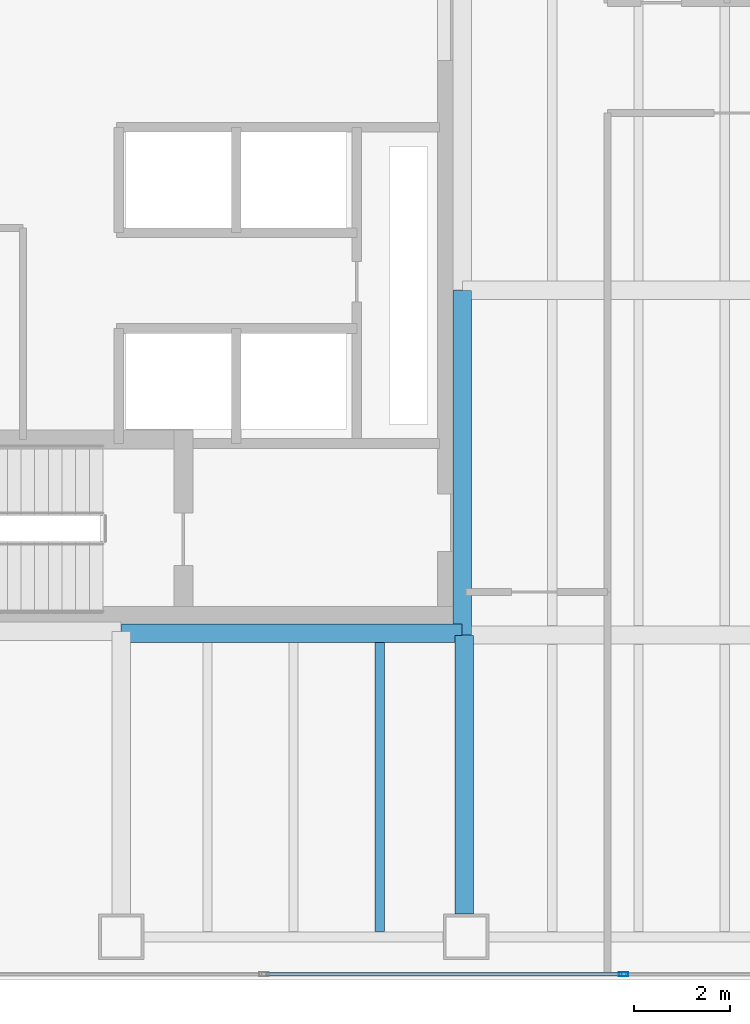
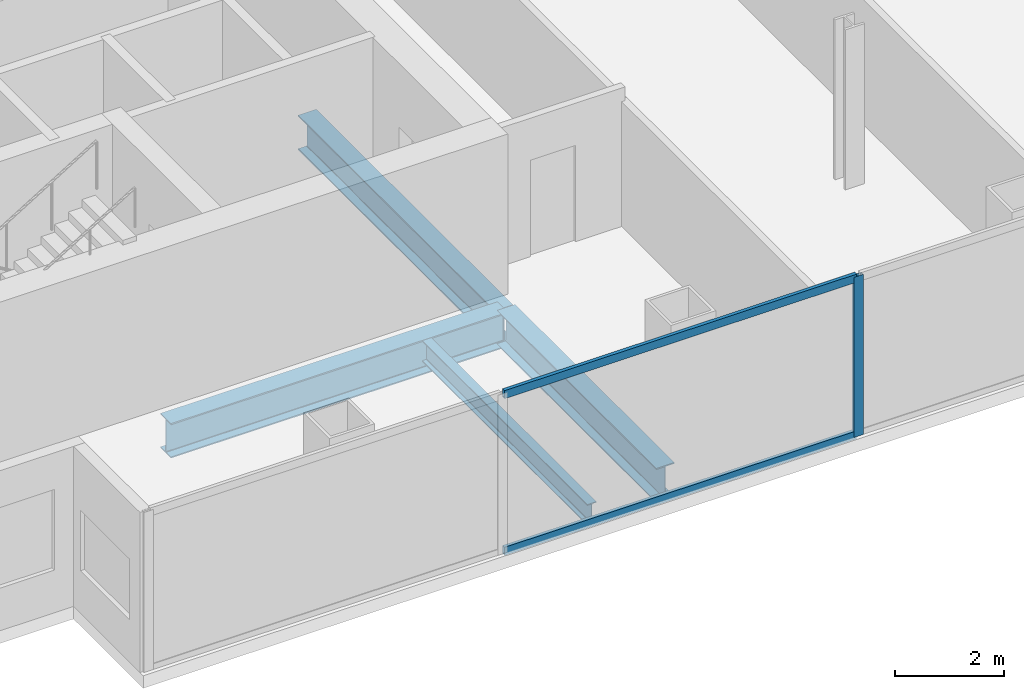
# One storey, part 3 of 23: 4 beams, 3 members, 1 element without a shape of its own.
"""IFC4 building model written with IfcOpenShell, lengths in metres."""

from ifc_helpers import new_model, si_unit, direction, frame, origin, origin_2d, place, context, subcontext, project, spatial, hollow_rectangle, i_section, extrude, material, material_profile, profile_set, type_object, element, aggregate, save


model = new_model("IFC4")

# Units and contexts
model_context = context("Model", 3, precision=1e-05, world=origin(), true_north=direction((0.0, 1.0)))
body_context = subcontext(model_context, "Body", "Model", "MODEL_VIEW")
ifc_project = project(units=[si_unit("LENGTHUNIT", "METRE"), si_unit("AREAUNIT", "SQUARE_METRE"), si_unit("VOLUMEUNIT", "CUBIC_METRE"), si_unit("PLANEANGLEUNIT", "RADIAN"), si_unit("MASSUNIT", "GRAM", prefix="KILO")], contexts=[model_context])

# Site, building, storey
site_placement = place(None, origin())
site = spatial("IfcSite", under=ifc_project, at=site_placement, CompositionType="ELEMENT")
building_placement = place(site_placement, origin())
building = spatial("IfcBuilding", under=site, at=building_placement, Name="Cobrela Telecom Tower", CompositionType="ELEMENT")
storey_placement = place(building_placement, frame((0.0, 0.0, 81.199951171875)))
storey = spatial("IfcBuildingStorey", under=building, at=storey_placement, Name="L20", CompositionType="ELEMENT", Elevation=81.199951171875)

# Beams
ifc_material_1 = material(Name="Steel ASTM A992 Grade 50", Category="steel")
ifc_material_profile_1 = material_profile(ifc_material_1, i_section(OverallWidth=0.381103515625, OverallDepth=0.77197265625, WebThickness=0.0166015625, FlangeThickness=0.027099609375, FilletRadius=0.01904296875, at=origin_2d()), Name="W30X173")
ifc_profile_set_1 = profile_set([ifc_material_profile_1], Name="Steel ASTM A992 Grade 50")
beam_type_1 = type_object("IfcBeamType", Name="BM-GIRD-04", PredefinedType="USERDEFINED", material=ifc_profile_set_1)
beam_1_placement = place(storey_placement, frame((7.205078125, 7.239990234375, -0.666015625), z_axis=(1.0, 0.0, 0.0), x_axis=(0.0, 1.0, 0.0)))
element("IfcBeam", 1, at=beam_1_placement, inside=storey, type_object=beam_type_1, Name="L20 Primary Girder X07", ObjectType="GIRDER", PredefinedType="USERDEFINED", context=body_context, shape_type="SweptSolid", body=[
    extrude(i_section(OverallWidth=0.381103515625, OverallDepth=0.77197265625, WebThickness=0.0166015625, FlangeThickness=0.027099609375, FilletRadius=0.01904296875, at=origin_2d()), origin(), (0.0, 0.0, 1.0), 7.10986328125),
])
beam_2_placement = place(storey_placement, frame((14.360107421875, 1.3798828125, -0.666015625), z_axis=(0.0, 1.0, 0.0), x_axis=(-1.0, 0.0, 0.0)))
element("IfcBeam", 2, at=beam_2_placement, inside=storey, type_object=beam_type_1, Name="L20 Primary Girder Y34", ObjectType="GIRDER", PredefinedType="USERDEFINED", context=body_context, shape_type="SweptSolid", body=[
    extrude(i_section(OverallWidth=0.381103515625, OverallDepth=0.77197265625, WebThickness=0.0166015625, FlangeThickness=0.027099609375, FilletRadius=0.01904296875, at=origin_2d()), origin(), (0.0, 0.0, 1.0), 5.815185546875),
])
beam_3_placement = place(storey_placement, frame((14.320068359375, 7.205078125, -0.666015625), z_axis=(0.0, 1.0, 0.0), x_axis=(-1.0, 0.0, 0.0)))
element("IfcBeam", 3, at=beam_3_placement, inside=storey, type_object=beam_type_1, Name="L20 Primary Girder Y35", ObjectType="GIRDER", PredefinedType="USERDEFINED", context=body_context, shape_type="SweptSolid", body=[
    extrude(i_section(OverallWidth=0.381103515625, OverallDepth=0.77197265625, WebThickness=0.0166015625, FlangeThickness=0.027099609375, FilletRadius=0.01904296875, at=origin_2d()), origin(), (0.0, 0.0, 1.0), 7.18994140625),
])
ifc_material_profile_2 = material_profile(ifc_material_1, i_section(OverallWidth=0.193115234375, OverallDepth=0.467041015625, WebThickness=0.011474609375, FlangeThickness=0.01904296875, FilletRadius=0.012939453125, at=origin_2d()), Name="W18X65")
ifc_profile_set_2 = profile_set([ifc_material_profile_2], Name="Steel ASTM A992 Grade 50")
beam_type_2 = type_object("IfcBeamType", Name="BM-JOIST-03", PredefinedType="JOIST", material=ifc_profile_set_2)
beam_4_placement = place(storey_placement, frame((12.60009765625, 1.011474609375, -0.513427734375), z_axis=(0.0, 1.0, 0.0), x_axis=(-1.0, 0.0, 0.0)))
element("IfcBeam", 4, at=beam_4_placement, inside=storey, type_object=beam_type_2, Name="L20 Secondary Composite Floor Beam J05", PredefinedType="JOIST", context=body_context, shape_type="SweptSolid", body=[
    extrude(i_section(OverallWidth=0.193115234375, OverallDepth=0.467041015625, WebThickness=0.011474609375, FlangeThickness=0.01904296875, FilletRadius=0.012939453125, at=origin_2d()), origin(), (0.0, 0.0, 1.0), 6.032958984375),
])

# Curtain wall, members
ifc_material_2 = material(Name="Anodized Bronze Aluminium 6063-T6", Category="aluminium")
curtain_wall_type = type_object("IfcCurtainWallType", Name="CW-SYS-DATA", PredefinedType="USERDEFINED", material=ifc_material_2)
curtain_wall_placement = place(storey_placement, origin())
curtain_wall = element("IfcCurtainWall", 5, at=curtain_wall_placement, inside=storey, type_object=curtain_wall_type, Name="L20 Unitised Bronze Curtain Wall 17", ObjectType="UNITISED CURTAIN WALL", PredefinedType="USERDEFINED")
ifc_material_profile_3 = material_profile(ifc_material_2, hollow_rectangle(XDim=0.080078125, YDim=0.199951171875, WallThickness=0.00390625, at=origin_2d()), Name="ALU 80x200x4")
ifc_profile_set_3 = profile_set([ifc_material_profile_3], Name="Anodized Bronze Aluminium 6063-T6")
member_type_1 = type_object("IfcMemberType", Name="CW-SYS-DATA-MUL", PredefinedType="MULLION", material=ifc_profile_set_3)
member_1_placement = place(storey_placement, frame((17.68994140625, 0.1201171875, 0.0), z_axis=(0.0, 0.0, 1.0), x_axis=(0.0, -1.0, 0.0)))
member_1 = element("IfcMember", 6, at=member_1_placement, type_object=member_type_1, Name="CW-DATA mullion 5", PredefinedType="MULLION", context=body_context, shape_type="SweptSolid", body=[
    extrude(hollow_rectangle(XDim=0.080078125, YDim=0.199951171875, WallThickness=0.00390625, at=origin_2d()), origin(), (0.0, 0.0, 1.0), 3.570068359375),
])
ifc_material_profile_4 = material_profile(ifc_material_2, hollow_rectangle(XDim=0.074951171875, YDim=0.179931640625, WallThickness=0.00390625, at=origin_2d()), Name="ALU 75x180x4")
ifc_profile_set_4 = profile_set([ifc_material_profile_4], Name="Anodized Bronze Aluminium 6063-T6")
member_type_2 = type_object("IfcMemberType", Name="CW-SYS-DATA-TRN", PredefinedType="USERDEFINED", material=ifc_profile_set_4)
member_2_placement = place(storey_placement, frame((17.64990234375, 0.1201171875, 0.03759765625), z_axis=(-1.0, 0.0, 0.0), x_axis=(0.0, -1.0, 0.0)))
member_2 = element("IfcMember", 7, at=member_2_placement, type_object=member_type_2, Name="CW-DATA transom 5.1", ObjectType="TRANSOM", PredefinedType="USERDEFINED", context=body_context, shape_type="SweptSolid", body=[
    extrude(hollow_rectangle(XDim=0.074951171875, YDim=0.179931640625, WallThickness=0.00390625, at=origin_2d()), origin(), (0.0, 0.0, 1.0), 7.429931640625),
])
member_3_placement = place(storey_placement, frame((17.64990234375, 0.1201171875, 3.532470703125), z_axis=(-1.0, 0.0, 0.0), x_axis=(0.0, -1.0, 0.0)))
member_3 = element("IfcMember", 8, at=member_3_placement, type_object=member_type_2, Name="CW-DATA transom 5.2", ObjectType="TRANSOM", PredefinedType="USERDEFINED", context=body_context, shape_type="SweptSolid", body=[
    extrude(hollow_rectangle(XDim=0.074951171875, YDim=0.179931640625, WallThickness=0.00390625, at=origin_2d()), origin(), (0.0, 0.0, 1.0), 7.429931640625),
])
aggregate(curtain_wall, [member_1, member_2, member_3])

save(model, "model.ifc")
